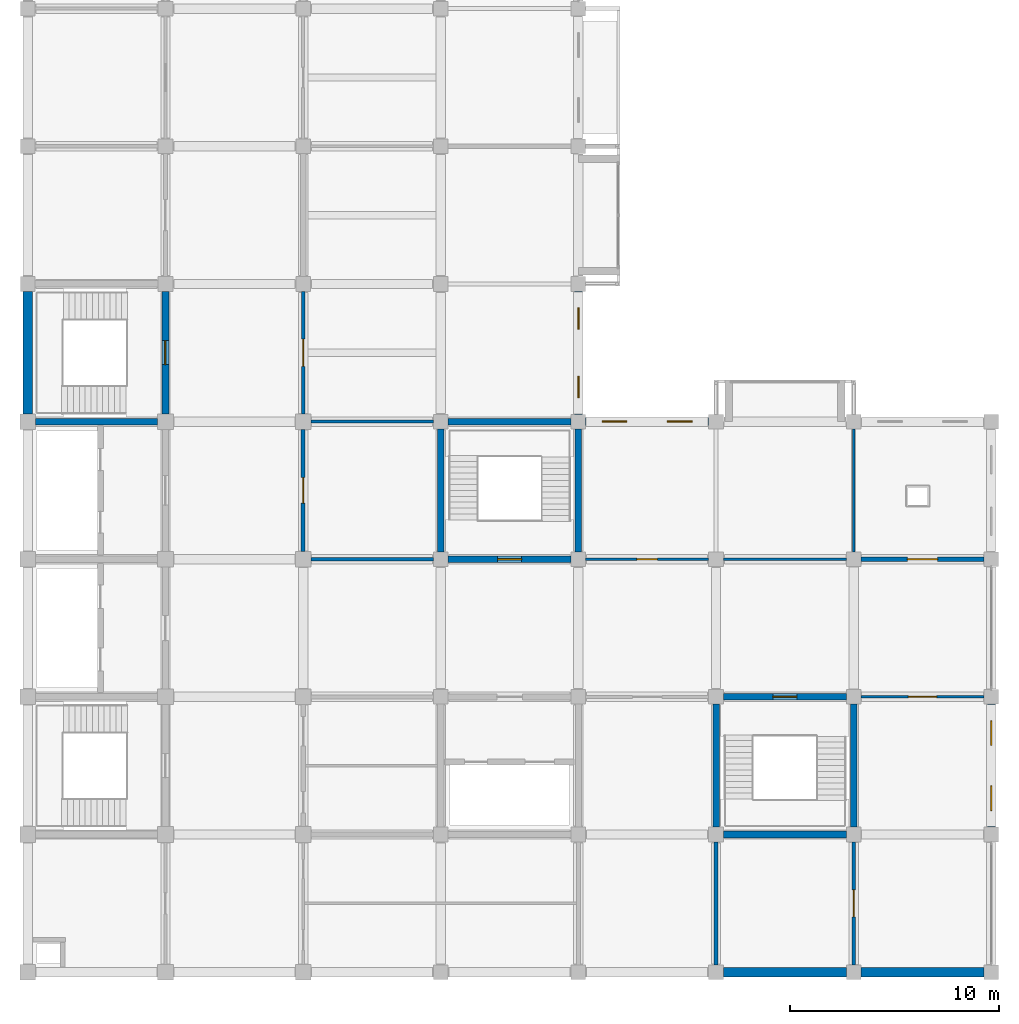
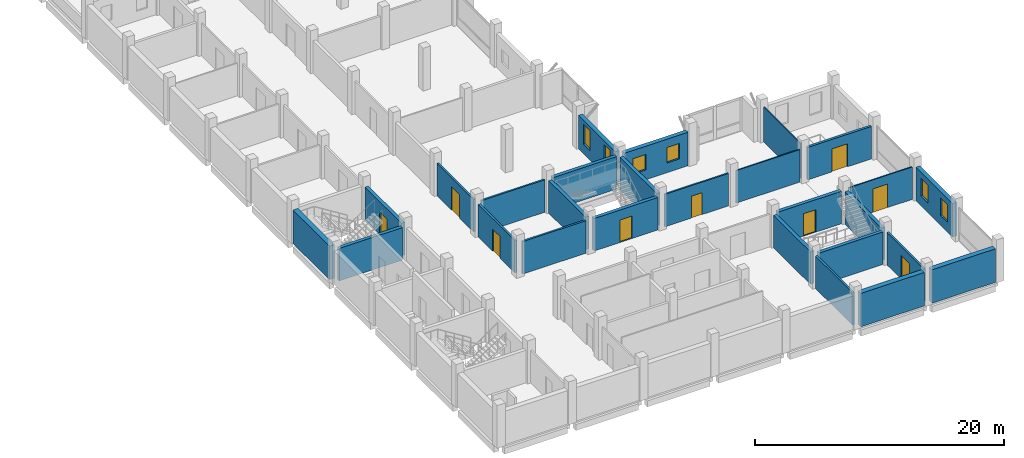
# One storey, part 8 of 13: 27 walls, 9 doors, 6 windows, 15 openings.
"""IFC4 building model written with IfcOpenShell, lengths in metres."""

from ifc_helpers import new_model, si_unit, direction, frame, frame_2d, origin, place, context, subcontext, project, spatial, rectangle, extrude, material, layer, layer_set, type_object, element, fill, save


model = new_model("IFC4")

# Units and contexts
model_context = context("Model", 3, precision=1e-05, world=origin(), true_north=direction((0.0, 1.0)))
body_context = subcontext(model_context, "Body", "Model", "MODEL_VIEW")
ifc_project = project(units=[si_unit("LENGTHUNIT", "METRE"), si_unit("AREAUNIT", "SQUARE_METRE"), si_unit("VOLUMEUNIT", "CUBIC_METRE"), si_unit("PLANEANGLEUNIT", "RADIAN"), si_unit("MASSUNIT", "GRAM", prefix="KILO")], contexts=[model_context])

# Site, building, storey
site_placement = place(None, origin())
site = spatial("IfcSite", under=ifc_project, at=site_placement, CompositionType="ELEMENT")
building_placement = place(site_placement, origin())
building = spatial("IfcBuilding", under=site, at=building_placement, Name="Rusizi Kubbe Research Institute", CompositionType="ELEMENT")
storey_placement = place(building_placement, frame((0.0, 0.0, 35.39990234375)))
storey = spatial("IfcBuildingStorey", under=building, at=storey_placement, Name="L08", CompositionType="ELEMENT", Elevation=35.39990234375)

# Wall
ifc_material_1 = material(Name="Concrete C45/55", Category="concrete")
ifc_layer_1 = layer(ifc_material_1, 0.31494140625)
ifc_layer_set_1 = layer_set([ifc_layer_1], Name="Concrete C45/55")
wall_type_1 = type_object("IfcWallType", Name="CRW-02", PredefinedType="SHEAR", material=ifc_layer_set_1)
wall_1_placement = place(storey_placement, frame((0.375, 26.39990234375, 0.0), z_axis=(0.0, 0.0, 1.0), x_axis=(1.0, 0.0, 0.0)))
element("IfcWall", 1, at=wall_1_placement, inside=storey, type_object=wall_type_1, Name="Stair Core Shear Wall ST2 L08 S", PredefinedType="SHEAR", context=body_context, shape_type="SweptSolid", body=[
    extrude(rectangle(XDim=5.85009765625, YDim=0.31494140625, at=frame_2d((2.925048828125, 0.0))), origin(), (0.0, 0.0, 1.0), 3.18017578125),
])

# Wall, opening, door
wall_2_placement = place(storey_placement, frame((6.60009765625, 26.77490234375, 0.0), z_axis=(0.0, 0.0, 1.0), x_axis=(0.0, 1.0, 0.0)))
wall_2 = element("IfcWall", 2, at=wall_2_placement, inside=storey, type_object=wall_type_1, Name="Stair Core Shear Wall ST2 L08 E", PredefinedType="SHEAR", context=body_context, shape_type="SweptSolid", body=[
    extrude(rectangle(XDim=5.875, YDim=0.31494140625, at=frame_2d((2.9375, 0.0))), origin(), (0.0, 0.0, 1.0), 3.18017578125),
])
opening_1_placement = place(wall_2_placement, frame((2.362548828125, 0.0, 0.0)))
opening_1 = element("IfcOpeningElement", 3, at=opening_1_placement, cuts=wall_2, Name="Opening D-02", PredefinedType="OPENING", context=body_context, shape_type="SweptSolid", body=[
    extrude(rectangle(XDim=1.14990234375, YDim=2.199951171875, at=frame_2d((0.574951171875, 1.10009765625))), frame((0.0, 0.16748046875, 0.0), z_axis=(0.0, -1.0, 0.0), x_axis=(1.0, 0.0, 0.0)), (0.0, 0.0, 1.0), 0.3349609375),
])
ifc_material_2 = material(Name="Fire-Rated Steel Frame and Acoustic Timber Leaf", Category="wood")
door_type_1 = type_object("IfcDoorType", Name="ID-STAIR-115", OperationType="NOTDEFINED", PredefinedType="DOOR", material=ifc_material_2)
door_1_placement = place(opening_1_placement, origin())
door_1 = element("IfcDoor", 4, at=door_1_placement, inside=storey, type_object=door_type_1, Name="Exit Stair Door ST2 L08", OperationType="SINGLE_SWING_RIGHT", OverallHeight=2.199951171875, OverallWidth=1.14990234375, PredefinedType="DOOR", context=body_context, shape_type="SweptSolid", body=[
    extrude(rectangle(XDim=1.14990234375, YDim=2.199951171875, at=frame_2d((0.574951171875, 1.10009765625))), frame((0.0, 0.02490234375, 0.0), z_axis=(0.0, -1.0, 0.0), x_axis=(1.0, 0.0, 0.0)), (0.0, 0.0, 1.0), 0.050048828125),
])
fill(opening_1, door_1)

wall_3_placement = place(storey_placement, frame((20.14990234375, 19.800048828125, 0.0), z_axis=(0.0, 0.0, 1.0), x_axis=(1.0, 0.0, 0.0)))
wall_3 = element("IfcWall", 5, at=wall_3_placement, inside=storey, type_object=wall_type_1, Name="Stair Core Shear Wall ST3 L08 S", PredefinedType="SHEAR", context=body_context, shape_type="SweptSolid", body=[
    extrude(rectangle(XDim=5.900146484375, YDim=0.31494140625, at=frame_2d((2.9501953125, 0.0))), origin(), (0.0, 0.0, 1.0), 3.18017578125),
])
opening_2_placement = place(wall_3_placement, frame((2.375, 0.0, 0.0)))
opening_2 = element("IfcOpeningElement", 6, at=opening_2_placement, cuts=wall_3, Name="Opening D-02", PredefinedType="OPENING", context=body_context, shape_type="SweptSolid", body=[
    extrude(rectangle(XDim=1.14990234375, YDim=2.199951171875, at=frame_2d((0.574951171875, 1.10009765625))), frame((0.0, 0.16748046875, 0.0), z_axis=(0.0, -1.0, 0.0), x_axis=(1.0, 0.0, 0.0)), (0.0, 0.0, 1.0), 0.3349609375),
])
door_2_placement = place(opening_2_placement, origin())
door_2 = element("IfcDoor", 7, at=door_2_placement, inside=storey, type_object=door_type_1, Name="Exit Stair Door ST3 L08", OperationType="SINGLE_SWING_RIGHT", OverallHeight=2.199951171875, OverallWidth=1.14990234375, PredefinedType="DOOR", context=body_context, shape_type="SweptSolid", body=[
    extrude(rectangle(XDim=1.14990234375, YDim=2.199951171875, at=frame_2d((0.574951171875, 1.10009765625))), frame((0.0, 0.02490234375, 0.0), z_axis=(0.0, -1.0, 0.0), x_axis=(1.0, 0.0, 0.0)), (0.0, 0.0, 1.0), 0.050048828125),
])
fill(opening_2, door_2)

# Walls
for number, where, z_axis, x_axis, name in (
    (8, (20.14990234375, 26.39990234375, 0.0), (0.0, 0.0, 1.0), (1.0, 0.0, 0.0), "Stair Core Shear Wall ST3 L08 N"),
    (9, (19.800048828125, 20.14990234375, 0.0), (0.0, 0.0, 1.0), (0.0, 1.0, 0.0), "Stair Core Shear Wall ST3 L08 W"),
    (10, (26.39990234375, 20.14990234375, 0.0), (0.0, 0.0, 1.0), (0.0, 1.0, 0.0), "Stair Core Shear Wall ST3 L08 E"),
):
    element("IfcWall", number, at=place(storey_placement, frame(where, z_axis=z_axis, x_axis=x_axis)), inside=storey, type_object=wall_type_1, Name=name, PredefinedType="SHEAR", context=body_context, shape_type="SweptSolid", body=[
        extrude(rectangle(XDim=5.900146484375, YDim=0.31494140625, at=frame_2d((2.9501953125, 0.0))), origin(), (0.0, 0.0, 1.0), 3.18017578125),
    ])
wall_4_placement = place(storey_placement, frame((33.35009765625, 6.60009765625, 0.0), z_axis=(0.0, 0.0, 1.0), x_axis=(1.0, 0.0, 0.0)))
element("IfcWall", 11, at=wall_4_placement, inside=storey, type_object=wall_type_1, Name="Stair Core Shear Wall ST4 L08 S", PredefinedType="SHEAR", context=body_context, shape_type="SweptSolid", body=[
    extrude(rectangle(XDim=5.89990234375, YDim=0.31494140625, at=frame_2d((2.949951171875, 0.0))), origin(), (0.0, 0.0, 1.0), 3.18017578125),
])

# Wall, opening, door
wall_5_placement = place(storey_placement, frame((33.35009765625, 13.199951171875, 0.0), z_axis=(0.0, 0.0, 1.0), x_axis=(1.0, 0.0, 0.0)))
wall_5 = element("IfcWall", 12, at=wall_5_placement, inside=storey, type_object=wall_type_1, Name="Stair Core Shear Wall ST4 L08 N", PredefinedType="SHEAR", context=body_context, shape_type="SweptSolid", body=[
    extrude(rectangle(XDim=5.89990234375, YDim=0.31494140625, at=frame_2d((2.949951171875, 0.0))), origin(), (0.0, 0.0, 1.0), 3.18017578125),
])
opening_3_placement = place(wall_5_placement, frame((2.375, 0.0, 0.0)))
opening_3 = element("IfcOpeningElement", 13, at=opening_3_placement, cuts=wall_5, Name="Opening D-02", PredefinedType="OPENING", context=body_context, shape_type="SweptSolid", body=[
    extrude(rectangle(XDim=1.14990234375, YDim=2.199951171875, at=frame_2d((0.574951171875, 1.10009765625))), frame((0.0, 0.16748046875, 0.0), z_axis=(0.0, -1.0, 0.0), x_axis=(1.0, 0.0, 0.0)), (0.0, 0.0, 1.0), 0.3349609375),
])
door_3_placement = place(opening_3_placement, origin())
door_3 = element("IfcDoor", 14, at=door_3_placement, inside=storey, type_object=door_type_1, Name="Exit Stair Door ST4 L08", OperationType="SINGLE_SWING_RIGHT", OverallHeight=2.199951171875, OverallWidth=1.14990234375, PredefinedType="DOOR", context=body_context, shape_type="SweptSolid", body=[
    extrude(rectangle(XDim=1.14990234375, YDim=2.199951171875, at=frame_2d((0.574951171875, 1.10009765625))), frame((0.0, 0.02490234375, 0.0), z_axis=(0.0, -1.0, 0.0), x_axis=(1.0, 0.0, 0.0)), (0.0, 0.0, 1.0), 0.050048828125),
])
fill(opening_3, door_3)

# Walls
for number, where, z_axis, x_axis, name in (
    (15, (33.0, 6.949951171875, 0.0), (0.0, 0.0, 1.0), (0.0, 1.0, 0.0), "Stair Core Shear Wall ST4 L08 W"),
    (16, (39.60009765625, 6.949951171875, 0.0), (0.0, 0.0, 1.0), (0.0, 1.0, 0.0), "Stair Core Shear Wall ST4 L08 E"),
):
    element("IfcWall", number, at=place(storey_placement, frame(where, z_axis=z_axis, x_axis=x_axis)), inside=storey, type_object=wall_type_1, Name=name, PredefinedType="SHEAR", context=body_context, shape_type="SweptSolid", body=[
        extrude(rectangle(XDim=5.900146484375, YDim=0.31494140625, at=frame_2d((2.9501953125, 0.0))), origin(), (0.0, 0.0, 1.0), 3.18017578125),
    ])

# Wall, openings, windows
ifc_material_3 = material(Name="Volcanic Basalt Ashlar Masonry", Category="masonry")
ifc_layer_2 = layer(ifc_material_3, 0.385009765625)
ifc_layer_set_2 = layer_set([ifc_layer_2], Name="Volcanic Basalt Ashlar Masonry")
wall_type_2 = type_object("IfcWallType", Name="EW-04", PredefinedType="SOLIDWALL", material=ifc_layer_set_2)
wall_6_placement = place(storey_placement, frame((26.39990234375, 26.75, 0.0), z_axis=(0.0, 0.0, 1.0), x_axis=(0.0, 1.0, 0.0)))
wall_6 = element("IfcWall", 17, at=wall_6_placement, inside=storey, type_object=wall_type_2, Name="Ablaq Stone Exterior Wall L08 V4-4", PredefinedType="SOLIDWALL", context=body_context, shape_type="SweptSolid", body=[
    extrude(rectangle(XDim=5.89990234375, YDim=0.385009765625, at=frame_2d((2.949951171875, 0.0))), origin(), (0.0, 0.0, 1.0), 3.280029296875),
])
opening_4_placement = place(wall_6_placement, frame((0.800048828125, 0.0, 0.949951171875)))
opening_4 = element("IfcOpeningElement", 18, at=opening_4_placement, cuts=wall_6, Name="Opening WN-08", PredefinedType="OPENING", context=body_context, shape_type="SweptSolid", body=[
    extrude(rectangle(XDim=1.02001953125, YDim=1.9599609375, at=frame_2d((0.510009765625, 0.97998046875))), frame((0.0, 0.202392578125, 0.0), z_axis=(0.0, -1.0, 0.0), x_axis=(1.0, 0.0, 0.0)), (0.0, 0.0, 1.0), 0.405029296875),
])
opening_5_placement = place(wall_6_placement, frame((4.080078125, 0.0, 0.949951171875)))
opening_5 = element("IfcOpeningElement", 19, at=opening_5_placement, cuts=wall_6, Name="Opening WN-08", PredefinedType="OPENING", context=body_context, shape_type="SweptSolid", body=[
    extrude(rectangle(XDim=1.02001953125, YDim=1.9599609375, at=frame_2d((0.510009765625, 0.97998046875))), frame((0.0, 0.202392578125, 0.0), z_axis=(0.0, -1.0, 0.0), x_axis=(1.0, 0.0, 0.0)), (0.0, 0.0, 1.0), 0.405029296875),
])
ifc_material_4 = material(Name="Aluminium Frame and Solar-Control Double Glazing", Category="glass")
window_type_1 = type_object("IfcWindowType", Name="WN-08", PartitioningType="SINGLE_PANEL", PredefinedType="WINDOW", material=ifc_material_4)
window_1_placement = place(opening_4_placement, origin())
window_1 = element("IfcWindow", 20, at=window_1_placement, inside=storey, type_object=window_type_1, Name="Casement Window WN-08 L08", OverallHeight=1.9599609375, OverallWidth=1.02001953125, PartitioningType="SINGLE_PANEL", PredefinedType="WINDOW", context=body_context, shape_type="SweptSolid", body=[
    extrude(rectangle(XDim=1.02001953125, YDim=1.9599609375, at=frame_2d((0.510009765625, 0.97998046875))), frame((0.0, 0.030029296875, 0.0), z_axis=(0.0, -1.0, 0.0), x_axis=(1.0, 0.0, 0.0)), (0.0, 0.0, 1.0), 0.06005859375),
])
fill(opening_4, window_1)
window_2_placement = place(opening_5_placement, origin())
window_2 = element("IfcWindow", 21, at=window_2_placement, inside=storey, type_object=window_type_1, Name="Casement Window WN-08 L08", OverallHeight=1.9599609375, OverallWidth=1.02001953125, PartitioningType="SINGLE_PANEL", PredefinedType="WINDOW", context=body_context, shape_type="SweptSolid", body=[
    extrude(rectangle(XDim=1.02001953125, YDim=1.9599609375, at=frame_2d((0.510009765625, 0.97998046875))), frame((0.0, 0.030029296875, 0.0), z_axis=(0.0, -1.0, 0.0), x_axis=(1.0, 0.0, 0.0)), (0.0, 0.0, 1.0), 0.06005859375),
])
fill(opening_5, window_2)

wall_7_placement = place(storey_placement, frame((26.75, 26.39990234375, 0.0), z_axis=(0.0, 0.0, 1.0), x_axis=(1.0, 0.0, 0.0)))
wall_7 = element("IfcWall", 22, at=wall_7_placement, inside=storey, type_object=wall_type_2, Name="Ablaq Stone Exterior Wall L08 H4-4", PredefinedType="SOLIDWALL", context=body_context, shape_type="SweptSolid", body=[
    extrude(rectangle(XDim=5.89990234375, YDim=0.385009765625, at=frame_2d((2.949951171875, 0.0))), origin(), (0.0, 0.0, 1.0), 3.280029296875),
])
opening_6_placement = place(wall_7_placement, frame((0.800048828125, 0.0, 0.949951171875)))
opening_6 = element("IfcOpeningElement", 23, at=opening_6_placement, cuts=wall_7, Name="Opening WN-10", PredefinedType="OPENING", context=body_context, shape_type="SweptSolid", body=[
    extrude(rectangle(XDim=1.179931640625, YDim=1.52001953125, at=frame_2d((0.58984375, 0.760009765625))), frame((0.0, 0.202392578125, 0.0), z_axis=(0.0, -1.0, 0.0), x_axis=(1.0, 0.0, 0.0)), (0.0, 0.0, 1.0), 0.405029296875),
])
opening_7_placement = place(wall_7_placement, frame((3.919921875, 0.0, 0.949951171875)))
opening_7 = element("IfcOpeningElement", 24, at=opening_7_placement, cuts=wall_7, Name="Opening WN-10", PredefinedType="OPENING", context=body_context, shape_type="SweptSolid", body=[
    extrude(rectangle(XDim=1.179931640625, YDim=1.52001953125, at=frame_2d((0.58984375, 0.760009765625))), frame((0.0, 0.202392578125, 0.0), z_axis=(0.0, -1.0, 0.0), x_axis=(1.0, 0.0, 0.0)), (0.0, 0.0, 1.0), 0.405029296875),
])
ifc_material_5 = material(Name="Aluminium Frame and Solar-Control Double Glazing", Category="glass")
window_type_2 = type_object("IfcWindowType", Name="WN-10", PartitioningType="SINGLE_PANEL", PredefinedType="WINDOW", material=ifc_material_5)
window_3_placement = place(opening_6_placement, origin())
window_3 = element("IfcWindow", 25, at=window_3_placement, inside=storey, type_object=window_type_2, Name="Casement Window WN-10 L08", OverallHeight=1.52001953125, OverallWidth=1.179931640625, PartitioningType="SINGLE_PANEL", PredefinedType="WINDOW", context=body_context, shape_type="SweptSolid", body=[
    extrude(rectangle(XDim=1.179931640625, YDim=1.52001953125, at=frame_2d((0.58984375, 0.760009765625))), frame((0.0, 0.030029296875, 0.0), z_axis=(0.0, -1.0, 0.0), x_axis=(1.0, 0.0, 0.0)), (0.0, 0.0, 1.0), 0.06005859375),
])
fill(opening_6, window_3)
window_4_placement = place(opening_7_placement, origin())
window_4 = element("IfcWindow", 26, at=window_4_placement, inside=storey, type_object=window_type_2, Name="Casement Window WN-10 L08", OverallHeight=1.52001953125, OverallWidth=1.179931640625, PartitioningType="SINGLE_PANEL", PredefinedType="WINDOW", context=body_context, shape_type="SweptSolid", body=[
    extrude(rectangle(XDim=1.179931640625, YDim=1.52001953125, at=frame_2d((0.58984375, 0.760009765625))), frame((0.0, 0.030029296875, 0.0), z_axis=(0.0, -1.0, 0.0), x_axis=(1.0, 0.0, 0.0)), (0.0, 0.0, 1.0), 0.06005859375),
])
fill(opening_7, window_4)

wall_8_placement = place(storey_placement, frame((46.199951171875, 6.949951171875, 0.0), z_axis=(0.0, 0.0, 1.0), x_axis=(0.0, 1.0, 0.0)))
wall_8 = element("IfcWall", 27, at=wall_8_placement, inside=storey, type_object=wall_type_2, Name="Ablaq Stone Exterior Wall L08 V7-1", PredefinedType="SOLIDWALL", context=body_context, shape_type="SweptSolid", body=[
    extrude(rectangle(XDim=5.900146484375, YDim=0.385009765625, at=frame_2d((2.9501953125, 0.0))), origin(), (0.0, 0.0, 1.0), 3.280029296875),
])
opening_8_placement = place(wall_8_placement, frame((0.800048828125, 0.0, 0.949951171875)))
opening_8 = element("IfcOpeningElement", 28, at=opening_8_placement, cuts=wall_8, Name="Opening WN-11", PredefinedType="OPENING", context=body_context, shape_type="SweptSolid", body=[
    extrude(rectangle(XDim=1.179931640625, YDim=1.739990234375, at=frame_2d((0.58984375, 0.8701171875))), frame((0.0, 0.202392578125, 0.0), z_axis=(0.0, -1.0, 0.0), x_axis=(1.0, 0.0, 0.0)), (0.0, 0.0, 1.0), 0.405029296875),
])
opening_9_placement = place(wall_8_placement, frame((3.919921875, 0.0, 0.949951171875)))
opening_9 = element("IfcOpeningElement", 29, at=opening_9_placement, cuts=wall_8, Name="Opening WN-11", PredefinedType="OPENING", context=body_context, shape_type="SweptSolid", body=[
    extrude(rectangle(XDim=1.179931640625, YDim=1.739990234375, at=frame_2d((0.58984375, 0.8701171875))), frame((0.0, 0.202392578125, 0.0), z_axis=(0.0, -1.0, 0.0), x_axis=(1.0, 0.0, 0.0)), (0.0, 0.0, 1.0), 0.405029296875),
])
ifc_material_6 = material(Name="Aluminium Frame and Solar-Control Double Glazing", Category="glass")
window_type_3 = type_object("IfcWindowType", Name="WN-11", PartitioningType="SINGLE_PANEL", PredefinedType="WINDOW", material=ifc_material_6)
window_5_placement = place(opening_8_placement, origin())
window_5 = element("IfcWindow", 30, at=window_5_placement, inside=storey, type_object=window_type_3, Name="Casement Window WN-11 L08", OverallHeight=1.739990234375, OverallWidth=1.179931640625, PartitioningType="SINGLE_PANEL", PredefinedType="WINDOW", context=body_context, shape_type="SweptSolid", body=[
    extrude(rectangle(XDim=1.179931640625, YDim=1.739990234375, at=frame_2d((0.58984375, 0.8701171875))), frame((0.0, 0.030029296875, 0.0), z_axis=(0.0, -1.0, 0.0), x_axis=(1.0, 0.0, 0.0)), (0.0, 0.0, 1.0), 0.06005859375),
])
fill(opening_8, window_5)
window_6_placement = place(opening_9_placement, origin())
window_6 = element("IfcWindow", 31, at=window_6_placement, inside=storey, type_object=window_type_3, Name="Casement Window WN-11 L08", OverallHeight=1.739990234375, OverallWidth=1.179931640625, PartitioningType="SINGLE_PANEL", PredefinedType="WINDOW", context=body_context, shape_type="SweptSolid", body=[
    extrude(rectangle(XDim=1.179931640625, YDim=1.739990234375, at=frame_2d((0.58984375, 0.8701171875))), frame((0.0, 0.030029296875, 0.0), z_axis=(0.0, -1.0, 0.0), x_axis=(1.0, 0.0, 0.0)), (0.0, 0.0, 1.0), 0.06005859375),
])
fill(opening_9, window_6)

# Wall, opening, door
ifc_material_7 = material(Name="Concrete Blockwork Fire Partition", Category="masonry")
ifc_layer_3 = layer(ifc_material_7, 0.22509765625)
ifc_layer_set_3 = layer_set([ifc_layer_3], Name="Concrete Blockwork Fire Partition")
wall_type_3 = type_object("IfcWallType", Name="IW-01", PredefinedType="PARTITIONING", material=ifc_layer_set_3)
wall_9_placement = place(storey_placement, frame((39.949951171875, 19.800048828125, 0.0), z_axis=(0.0, 0.0, 1.0), x_axis=(1.0, 0.0, 0.0)))
wall_9 = element("IfcWall", 32, at=wall_9_placement, inside=storey, type_object=wall_type_3, Name="Interior Partition Wall L08 H6-3", PredefinedType="PARTITIONING", context=body_context, shape_type="SweptSolid", body=[
    extrude(rectangle(XDim=5.900146484375, YDim=0.22509765625, at=frame_2d((2.9501953125, 0.0))), origin(), (0.0, 0.0, 1.0), 3.18017578125),
])
opening_10_placement = place(wall_9_placement, frame((2.22509765625, 0.0, 0.0)))
opening_10 = element("IfcOpeningElement", 33, at=opening_10_placement, cuts=wall_9, Name="Opening D-11", PredefinedType="OPENING", context=body_context, shape_type="SweptSolid", body=[
    extrude(rectangle(XDim=1.449951171875, YDim=2.25, at=frame_2d((0.72509765625, 1.125))), frame((0.0, 0.12255859375, 0.0), z_axis=(0.0, -1.0, 0.0), x_axis=(1.0, 0.0, 0.0)), (0.0, 0.0, 1.0), 0.2451171875),
])
ifc_material_8 = material(Name="Fire-Rated Steel Frame and Acoustic Timber Leaf", Category="wood")
door_type_2 = type_object("IfcDoorType", Name="ID-LAB-145", OperationType="NOTDEFINED", PredefinedType="DOOR", material=ifc_material_8)
door_4_placement = place(opening_10_placement, origin())
door_4 = element("IfcDoor", 34, at=door_4_placement, inside=storey, type_object=door_type_2, Name="Door to Molecular Diagnostics Laboratory (L08-EWN-02)", OperationType="SINGLE_SWING_LEFT", OverallHeight=2.25, OverallWidth=1.449951171875, PredefinedType="DOOR", context=body_context, shape_type="SweptSolid", body=[
    extrude(rectangle(XDim=1.449951171875, YDim=2.25, at=frame_2d((0.72509765625, 1.125))), frame((0.0, 0.02490234375, 0.0), z_axis=(0.0, -1.0, 0.0), x_axis=(1.0, 0.0, 0.0)), (0.0, 0.0, 1.0), 0.050048828125),
])
fill(opening_10, door_4)

ifc_material_9 = material(Name="Insulated Cleanroom Partition", Category="masonry")
ifc_layer_4 = layer(ifc_material_9, 0.195068359375)
ifc_layer_set_4 = layer_set([ifc_layer_4], Name="Insulated Cleanroom Partition")
wall_type_4 = type_object("IfcWallType", Name="IW-02", PredefinedType="PARTITIONING", material=ifc_layer_set_4)
wall_10_placement = place(storey_placement, frame((13.199951171875, 20.175048828125, 0.0), z_axis=(0.0, 0.0, 1.0), x_axis=(0.0, 1.0, 0.0)))
wall_10 = element("IfcWall", 35, at=wall_10_placement, inside=storey, type_object=wall_type_4, Name="Interior Partition Wall L08 V2-3", PredefinedType="PARTITIONING", context=body_context, shape_type="SweptSolid", body=[
    extrude(rectangle(XDim=5.849853515625, YDim=0.195068359375, at=frame_2d((2.9248046875, 0.0))), origin(), (0.0, 0.0, 1.0), 3.18017578125),
])
opening_11_placement = place(wall_10_placement, frame((2.31494140625, 0.0, 0.0)))
opening_11 = element("IfcOpeningElement", 36, at=opening_11_placement, cuts=wall_10, Name="Opening D-21", PredefinedType="OPENING", context=body_context, shape_type="SweptSolid", body=[
    extrude(rectangle(XDim=1.219970703125, YDim=2.14990234375, at=frame_2d((0.60986328125, 1.074951171875))), frame((0.0, 0.107421875, 0.0), z_axis=(0.0, -1.0, 0.0), x_axis=(1.0, 0.0, 0.0)), (0.0, 0.0, 1.0), 0.215087890625),
])
ifc_material_10 = material(Name="Fire-Rated Steel Frame and Acoustic Timber Leaf", Category="wood")
door_type_3 = type_object("IfcDoorType", Name="ID-STR-122", OperationType="NOTDEFINED", PredefinedType="DOOR", material=ifc_material_10)
door_5_placement = place(opening_11_placement, origin())
door_5 = element("IfcDoor", 37, at=door_5_placement, inside=storey, type_object=door_type_3, Name="Door to Mid-Rise Mechanical AHU Plant Room (L08-NW-01)", OperationType="SINGLE_SWING_RIGHT", OverallHeight=2.14990234375, OverallWidth=1.219970703125, PredefinedType="DOOR", context=body_context, shape_type="SweptSolid", body=[
    extrude(rectangle(XDim=1.219970703125, YDim=2.14990234375, at=frame_2d((0.60986328125, 1.074951171875))), frame((0.0, 0.02490234375, 0.0), z_axis=(0.0, -1.0, 0.0), x_axis=(1.0, 0.0, 0.0)), (0.0, 0.0, 1.0), 0.050048828125),
])
fill(opening_11, door_5)

# Wall
wall_11_placement = place(storey_placement, frame((33.0, 0.35009765625, 0.0), z_axis=(0.0, 0.0, 1.0), x_axis=(0.0, 1.0, 0.0)))
element("IfcWall", 38, at=wall_11_placement, inside=storey, type_object=wall_type_4, Name="Interior Partition Wall L08 V5-0", PredefinedType="PARTITIONING", context=body_context, shape_type="SweptSolid", body=[
    extrude(rectangle(XDim=5.89990234375, YDim=0.195068359375, at=frame_2d((2.949951171875, 0.0))), origin(), (0.0, 0.0, 1.0), 3.18017578125),
])

# Wall, opening, door
ifc_material_11 = material(Name="Acoustic Laboratory Partition", Category="masonry")
ifc_layer_5 = layer(ifc_material_11, 0.175048828125)
ifc_layer_set_5 = layer_set([ifc_layer_5], Name="Acoustic Laboratory Partition")
wall_type_5 = type_object("IfcWallType", Name="IW-03", PredefinedType="PARTITIONING", material=ifc_layer_set_5)
wall_12_placement = place(storey_placement, frame((13.199951171875, 26.77490234375, 0.0), z_axis=(0.0, 0.0, 1.0), x_axis=(0.0, 1.0, 0.0)))
wall_12 = element("IfcWall", 39, at=wall_12_placement, inside=storey, type_object=wall_type_5, Name="Interior Partition Wall L08 V2-4", PredefinedType="PARTITIONING", context=body_context, shape_type="SweptSolid", body=[
    extrude(rectangle(XDim=5.875, YDim=0.175048828125, at=frame_2d((2.9375, 0.0))), origin(), (0.0, 0.0, 1.0), 3.18017578125),
])
opening_12_placement = place(wall_12_placement, frame((2.27490234375, 0.0, 0.0)))
opening_12 = element("IfcOpeningElement", 40, at=opening_12_placement, cuts=wall_12, Name="Opening D-14", PredefinedType="OPENING", context=body_context, shape_type="SweptSolid", body=[
    extrude(rectangle(XDim=1.300048828125, YDim=2.300048828125, at=frame_2d((0.64990234375, 1.14990234375))), frame((0.0, 0.097412109375, 0.0), z_axis=(0.0, -1.0, 0.0), x_axis=(1.0, 0.0, 0.0)), (0.0, 0.0, 1.0), 0.195068359375),
])
ifc_material_12 = material(Name="Fire-Rated Steel Frame and Acoustic Timber Leaf", Category="wood")
door_type_4 = type_object("IfcDoorType", Name="ID-LAB-130", OperationType="NOTDEFINED", PredefinedType="DOOR", material=ifc_material_12)
door_6_placement = place(opening_12_placement, origin())
door_6 = element("IfcDoor", 41, at=door_6_placement, inside=storey, type_object=door_type_4, Name="Door to Computational Dry Laboratory (L08-NW-02)", OperationType="SINGLE_SWING_RIGHT", OverallHeight=2.300048828125, OverallWidth=1.300048828125, PredefinedType="DOOR", context=body_context, shape_type="SweptSolid", body=[
    extrude(rectangle(XDim=1.300048828125, YDim=2.300048828125, at=frame_2d((0.64990234375, 1.14990234375))), frame((0.0, 0.02490234375, 0.0), z_axis=(0.0, -1.0, 0.0), x_axis=(1.0, 0.0, 0.0)), (0.0, 0.0, 1.0), 0.050048828125),
])
fill(opening_12, door_6)

# Wall
wall_13_placement = place(storey_placement, frame((13.574951171875, 19.800048828125, 0.0), z_axis=(0.0, 0.0, 1.0), x_axis=(1.0, 0.0, 0.0)))
element("IfcWall", 42, at=wall_13_placement, inside=storey, type_object=wall_type_5, Name="Interior Partition Wall L08 H2-3", PredefinedType="PARTITIONING", context=body_context, shape_type="SweptSolid", body=[
    extrude(rectangle(XDim=5.875, YDim=0.175048828125, at=frame_2d((2.9375, 0.0))), origin(), (0.0, 0.0, 1.0), 3.18017578125),
])

# Wall, opening, door
wall_14_placement = place(storey_placement, frame((39.60009765625, 0.35009765625, 0.0), z_axis=(0.0, 0.0, 1.0), x_axis=(0.0, 1.0, 0.0)))
wall_14 = element("IfcWall", 43, at=wall_14_placement, inside=storey, type_object=wall_type_5, Name="Interior Partition Wall L08 V6-0", PredefinedType="PARTITIONING", context=body_context, shape_type="SweptSolid", body=[
    extrude(rectangle(XDim=5.89990234375, YDim=0.175048828125, at=frame_2d((2.949951171875, 0.0))), origin(), (0.0, 0.0, 1.0), 3.18017578125),
])
opening_13_placement = place(wall_14_placement, frame((2.300048828125, 0.0, 0.0)))
opening_13 = element("IfcOpeningElement", 44, at=opening_13_placement, cuts=wall_14, Name="Opening D-14", PredefinedType="OPENING", context=body_context, shape_type="SweptSolid", body=[
    extrude(rectangle(XDim=1.300048828125, YDim=2.300048828125, at=frame_2d((0.64990234375, 1.14990234375))), frame((0.0, 0.097412109375, 0.0), z_axis=(0.0, -1.0, 0.0), x_axis=(1.0, 0.0, 0.0)), (0.0, 0.0, 1.0), 0.195068359375),
])
door_7_placement = place(opening_13_placement, origin())
door_7 = element("IfcDoor", 45, at=door_7_placement, inside=storey, type_object=door_type_4, Name="Door to Laboratory Instrument Support Room (L08-EWU-05)", OperationType="SINGLE_SWING_RIGHT", OverallHeight=2.300048828125, OverallWidth=1.300048828125, PredefinedType="DOOR", context=body_context, shape_type="SweptSolid", body=[
    extrude(rectangle(XDim=1.300048828125, YDim=2.300048828125, at=frame_2d((0.64990234375, 1.14990234375))), frame((0.0, 0.02490234375, 0.0), z_axis=(0.0, -1.0, 0.0), x_axis=(1.0, 0.0, 0.0)), (0.0, 0.0, 1.0), 0.050048828125),
])
fill(opening_13, door_7)

# Wall
ifc_material_13 = material(Name="Fire-Rated Corridor Partition", Category="masonry")
ifc_layer_6 = layer(ifc_material_13, 0.155029296875)
ifc_layer_set_6 = layer_set([ifc_layer_6], Name="Fire-Rated Corridor Partition")
wall_type_6 = type_object("IfcWallType", Name="IW-04", PredefinedType="PARTITIONING", material=ifc_layer_set_6)
wall_15_placement = place(storey_placement, frame((13.574951171875, 26.39990234375, 0.0), z_axis=(0.0, 0.0, 1.0), x_axis=(1.0, 0.0, 0.0)))
element("IfcWall", 46, at=wall_15_placement, inside=storey, type_object=wall_type_6, Name="Interior Partition Wall L08 H2-4", PredefinedType="PARTITIONING", context=body_context, shape_type="SweptSolid", body=[
    extrude(rectangle(XDim=5.875, YDim=0.155029296875, at=frame_2d((2.9375, 0.0))), origin(), (0.0, 0.0, 1.0), 3.18017578125),
])

# Wall, opening, door
ifc_material_14 = material(Name="Write-up Glazed Acoustic Partition", Category="masonry")
ifc_layer_7 = layer(ifc_material_14, 0.139892578125)
ifc_layer_set_7 = layer_set([ifc_layer_7], Name="Write-up Glazed Acoustic Partition")
wall_type_7 = type_object("IfcWallType", Name="IW-05", PredefinedType="PARTITIONING", material=ifc_layer_set_7)
wall_16_placement = place(storey_placement, frame((26.75, 19.800048828125, 0.0), z_axis=(0.0, 0.0, 1.0), x_axis=(1.0, 0.0, 0.0)))
wall_16 = element("IfcWall", 47, at=wall_16_placement, inside=storey, type_object=wall_type_7, Name="Interior Partition Wall L08 H4-3", PredefinedType="PARTITIONING", context=body_context, shape_type="SweptSolid", body=[
    extrude(rectangle(XDim=5.89990234375, YDim=0.139892578125, at=frame_2d((2.949951171875, 0.0))), origin(), (0.0, 0.0, 1.0), 3.18017578125),
])
opening_14_placement = place(wall_16_placement, frame((2.4599609375, 0.0, 0.0)))
opening_14 = element("IfcOpeningElement", 48, at=opening_14_placement, cuts=wall_16, Name="Opening D-20", PredefinedType="OPENING", context=body_context, shape_type="SweptSolid", body=[
    extrude(rectangle(XDim=0.97998046875, YDim=2.14990234375, at=frame_2d((0.489990234375, 1.074951171875))), frame((0.0, 0.079833984375, 0.0), z_axis=(0.0, -1.0, 0.0), x_axis=(1.0, 0.0, 0.0)), (0.0, 0.0, 1.0), 0.159912109375),
])
ifc_material_15 = material(Name="Fire-Rated Steel Frame and Acoustic Timber Leaf", Category="wood")
door_type_5 = type_object("IfcDoorType", Name="ID-OFF-980", OperationType="NOTDEFINED", PredefinedType="DOOR", material=ifc_material_15)
door_8_placement = place(opening_14_placement, origin())
door_8 = element("IfcDoor", 49, at=door_8_placement, inside=storey, type_object=door_type_5, Name="Door to Write-up Office (L08-EWN-01)", OperationType="SINGLE_SWING_LEFT", OverallHeight=2.14990234375, OverallWidth=0.97998046875, PredefinedType="DOOR", context=body_context, shape_type="SweptSolid", body=[
    extrude(rectangle(XDim=0.97998046875, YDim=2.14990234375, at=frame_2d((0.489990234375, 1.074951171875))), frame((0.0, 0.02490234375, 0.0), z_axis=(0.0, -1.0, 0.0), x_axis=(1.0, 0.0, 0.0)), (0.0, 0.0, 1.0), 0.050048828125),
])
fill(opening_14, door_8)

# Walls
ifc_material_16 = material(Name="Sub-Suite Fire Partition", Category="masonry")
ifc_layer_8 = layer(ifc_material_16, 0.110107421875)
ifc_layer_set_8 = layer_set([ifc_layer_8], Name="Sub-Suite Fire Partition")
wall_type_8 = type_object("IfcWallType", Name="IW-07", PredefinedType="PARTITIONING", material=ifc_layer_set_8)
wall_17_placement = place(storey_placement, frame((33.35009765625, 19.800048828125, 0.0), z_axis=(0.0, 0.0, 1.0), x_axis=(1.0, 0.0, 0.0)))
element("IfcWall", 50, at=wall_17_placement, inside=storey, type_object=wall_type_8, Name="Interior Partition Wall L08 H5-3", PredefinedType="PARTITIONING", context=body_context, shape_type="SweptSolid", body=[
    extrude(rectangle(XDim=5.89990234375, YDim=0.110107421875, at=frame_2d((2.949951171875, 0.0))), origin(), (0.0, 0.0, 1.0), 3.18017578125),
])
wall_18_placement = place(storey_placement, frame((39.60009765625, 20.14990234375, 0.0), z_axis=(0.0, 0.0, 1.0), x_axis=(0.0, 1.0, 0.0)))
element("IfcWall", 51, at=wall_18_placement, inside=storey, type_object=wall_type_8, Name="Interior Partition Wall L08 V6-3", PredefinedType="PARTITIONING", context=body_context, shape_type="SweptSolid", body=[
    extrude(rectangle(XDim=5.900146484375, YDim=0.110107421875, at=frame_2d((2.9501953125, 0.0))), origin(), (0.0, 0.0, 1.0), 3.43017578125),
])

# Wall, opening, door
wall_19_placement = place(storey_placement, frame((39.949951171875, 13.199951171875, 0.0), z_axis=(0.0, 0.0, 1.0), x_axis=(1.0, 0.0, 0.0)))
wall_19 = element("IfcWall", 52, at=wall_19_placement, inside=storey, type_object=wall_type_8, Name="Interior Partition Wall L08 H6-2", PredefinedType="PARTITIONING", context=body_context, shape_type="SweptSolid", body=[
    extrude(rectangle(XDim=5.900146484375, YDim=0.110107421875, at=frame_2d((2.9501953125, 0.0))), origin(), (0.0, 0.0, 1.0), 3.18017578125),
])
opening_15_placement = place(wall_19_placement, frame((2.27490234375, 0.0, 0.0)))
opening_15 = element("IfcOpeningElement", 53, at=opening_15_placement, cuts=wall_19, Name="Opening D-13", PredefinedType="OPENING", context=body_context, shape_type="SweptSolid", body=[
    extrude(rectangle(XDim=1.35009765625, YDim=2.300048828125, at=frame_2d((0.675048828125, 1.14990234375))), frame((0.0, 0.06494140625, 0.0), z_axis=(0.0, -1.0, 0.0), x_axis=(1.0, 0.0, 0.0)), (0.0, 0.0, 1.0), 0.130126953125),
])
ifc_material_17 = material(Name="Fire-Rated Steel Frame and Acoustic Timber Leaf", Category="wood")
door_type_6 = type_object("IfcDoorType", Name="ID-LAB-135", OperationType="NOTDEFINED", PredefinedType="DOOR", material=ifc_material_17)
door_9_placement = place(opening_15_placement, origin())
door_9 = element("IfcDoor", 54, at=door_9_placement, inside=storey, type_object=door_type_6, Name="Door to Clean Room Process Suite (L08-EWS-02)", OperationType="SINGLE_SWING_LEFT", OverallHeight=2.300048828125, OverallWidth=1.35009765625, PredefinedType="DOOR", context=body_context, shape_type="SweptSolid", body=[
    extrude(rectangle(XDim=1.35009765625, YDim=2.300048828125, at=frame_2d((0.675048828125, 1.14990234375))), frame((0.0, 0.02490234375, 0.0), z_axis=(0.0, -1.0, 0.0), x_axis=(1.0, 0.0, 0.0)), (0.0, 0.0, 1.0), 0.050048828125),
])
fill(opening_15, door_9)

# Walls
ifc_material_18 = material(Name="Concrete C40/50", Category="concrete")
ifc_layer_9 = layer(ifc_material_18, 0.4599609375)
ifc_layer_set_9 = layer_set([ifc_layer_9], Name="Concrete C40/50")
wall_type_9 = type_object("IfcWallType", Name="PW-02", PredefinedType="SOLIDWALL", material=ifc_layer_set_9)
wall_20_placement = place(storey_placement, frame((0.0, 26.77490234375, 0.0), z_axis=(0.0, 0.0, 1.0), x_axis=(0.0, 1.0, 0.0)))
element("IfcWall", 55, at=wall_20_placement, inside=storey, type_object=wall_type_9, Name="Blind Party Wall L08 V0-4", PredefinedType="SOLIDWALL", context=body_context, shape_type="SweptSolid", body=[
    extrude(rectangle(XDim=5.875, YDim=0.4599609375, at=frame_2d((2.9375, 0.0))), origin(), (0.0, 0.0, 1.0), 3.280029296875),
])
wall_21_placement = place(storey_placement, frame((33.35009765625, 0.0, 0.0), z_axis=(0.0, 0.0, 1.0), x_axis=(1.0, 0.0, 0.0)))
element("IfcWall", 56, at=wall_21_placement, inside=storey, type_object=wall_type_9, Name="Blind Party Wall L08 H5-0", PredefinedType="SOLIDWALL", context=body_context, shape_type="SweptSolid", body=[
    extrude(rectangle(XDim=5.89990234375, YDim=0.4599609375, at=frame_2d((2.949951171875, 0.0))), origin(), (0.0, 0.0, 1.0), 3.280029296875),
])
wall_22_placement = place(storey_placement, frame((39.949951171875, 0.0, 0.0), z_axis=(0.0, 0.0, 1.0), x_axis=(1.0, 0.0, 0.0)))
element("IfcWall", 57, at=wall_22_placement, inside=storey, type_object=wall_type_9, Name="Blind Party Wall L08 H6-0", PredefinedType="SOLIDWALL", context=body_context, shape_type="SweptSolid", body=[
    extrude(rectangle(XDim=5.900146484375, YDim=0.4599609375, at=frame_2d((2.9501953125, 0.0))), origin(), (0.0, 0.0, 1.0), 3.280029296875),
])

save(model, "model.ifc")
